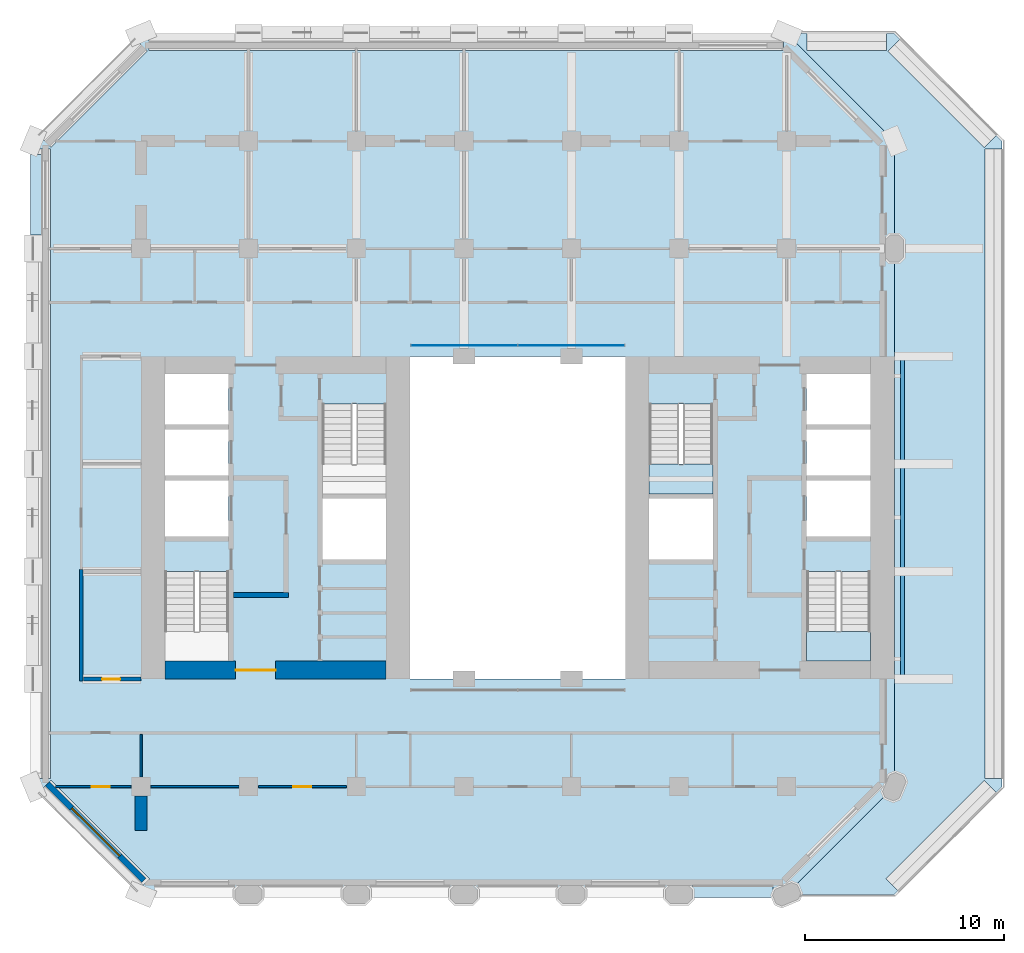
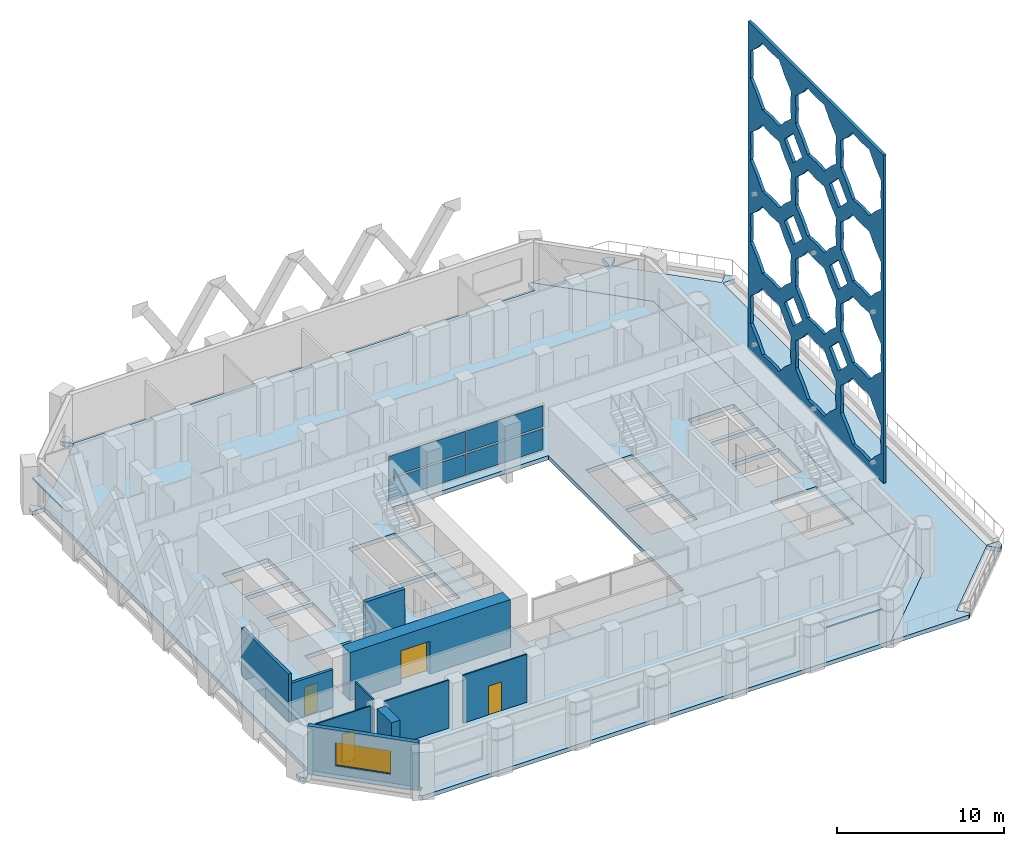
# One storey, part 6 of 14: 10 walls, 7 plates, 4 doors, 4 slabs, 1 window, 5 openings, 3 elements without a shape of their own.
"""IFC4 building model written with IfcOpenShell, lengths in metres."""

import ifcopenshell
import ifcopenshell.guid

model = None  # the IFC model being written
_history = None  # IfcOwnerHistory: only IFC2X3 demands one
_inside = {}  # id of a spatial element -> (the spatial element, [elements in it])
_under = {}  # id of a project, library or spatial element -> (it, [spatial elements below it])
_declared = {}  # id of a project -> (the project, [libraries it declares])
_typed = {}  # id of a type object -> (the type object, [elements of that type])
_made_of = {}  # id of a material, layer set ... -> (it, [elements and type objects made of it])


def new_model(schema):
    """Start an empty IFC model of exactly this schema.

    Asked for "IFC4X3", IfcOpenShell would pick the latest addendum, in which some entities
    have other attributes; the version numbers below select the first issue.
    IFC2X3 requires an IfcOwnerHistory on every rooted entity: one is made here for all.
    """
    global model, _history
    if schema == "IFC4X3":
        model = ifcopenshell.file(schema_version=(4, 3, 0, 0))
    else:
        model = ifcopenshell.file(schema=schema)
    _inside.clear()
    _under.clear()
    _declared.clear()
    _typed.clear()
    _made_of.clear()
    _history = None
    if model.schema == "IFC2X3":
        org = make("IfcOrganization", Name="unknown")
        user = make(
            "IfcPersonAndOrganization",
            ThePerson=make("IfcPerson", FamilyName="unknown"),
            TheOrganization=org,
        )
        app = make(
            "IfcApplication",
            ApplicationDeveloper=org,
            Version="unknown",
            ApplicationFullName="unknown",
            ApplicationIdentifier="unknown",
        )
        _history = make(
            "IfcOwnerHistory",
            OwningUser=user,
            OwningApplication=app,
            ChangeAction="ADDED",
            CreationDate=0,
        )
    return model


def make(cls, **values):
    """One entity of the class cls with the attributes given. An attribute that is None is left unset."""
    return model.create_entity(
        cls, **{name: value for name, value in values.items() if value is not None}
    )


def rooted(cls, **values):
    """An entity with a GlobalId (a new one), such as an element, a storey or a relation."""
    return make(cls, GlobalId=ifcopenshell.guid.new(), OwnerHistory=_history, **values)


def si_unit(unit_type, name, prefix=None):
    """IfcSIUnit, for example si_unit("LENGTHUNIT", "METRE", prefix="MILLI")."""
    return make("IfcSIUnit", UnitType=unit_type, Prefix=prefix, Name=name)


def assignment(units):
    """IfcUnitAssignment: the units of a project."""
    return None if units is None else make("IfcUnitAssignment", Units=units)


def point(xyz):
    """IfcCartesianPoint."""
    return None if xyz is None else make("IfcCartesianPoint", Coordinates=xyz)


def direction(xyz):
    """IfcDirection."""
    return None if xyz is None else make("IfcDirection", DirectionRatios=xyz)


def frame(location, z_axis=None, x_axis=None):
    """IfcAxis2Placement3D, a coordinate frame: its origin and axes. An axis left out is left unset."""
    return make(
        "IfcAxis2Placement3D",
        Location=point(location),
        Axis=direction(z_axis),
        RefDirection=direction(x_axis),
    )


def frame_2d(location, x_axis=None):
    """IfcAxis2Placement2D, a coordinate frame in the plane: its origin and x axis."""
    return make(
        "IfcAxis2Placement2D", Location=point(location), RefDirection=direction(x_axis)
    )


def origin():
    """The frame at (0, 0, 0) with its axes left unset."""
    return frame((0.0, 0.0, 0.0))


def origin_2d():
    """The frame at (0, 0) in the plane with its x axis left unset."""
    return frame_2d((0.0, 0.0))


def place(relative_to, where):
    """IfcLocalPlacement: puts the frame where relative to a parent placement (None: the world)."""
    return make(
        "IfcLocalPlacement", PlacementRelTo=relative_to, RelativePlacement=where
    )


def context(
    kind, dimensions, precision=None, world=None, true_north=None, identifier=None
):
    """IfcGeometricRepresentationContext, for example the 3D "Model" context."""
    return make(
        "IfcGeometricRepresentationContext",
        ContextIdentifier=identifier,
        ContextType=kind,
        CoordinateSpaceDimension=dimensions,
        Precision=precision,
        WorldCoordinateSystem=world,
        TrueNorth=true_north,
    )


def subcontext(parent, identifier, kind, view, scale=None):
    """IfcGeometricRepresentationSubContext, for example "Body" below "Model"."""
    return make(
        "IfcGeometricRepresentationSubContext",
        ContextIdentifier=identifier,
        ContextType=kind,
        ParentContext=parent,
        TargetScale=scale,
        TargetView=view,
    )


def project(units=None, contexts=None):
    """IfcProject with its units and contexts."""
    return rooted(
        "IfcProject",
        Name="project",
        RepresentationContexts=contexts,
        UnitsInContext=assignment(units),
    )


def spatial(cls, under=None, at=None, **own):
    """A site, building, storey or space (cls), placed at a placement, below another one or the project."""
    s = rooted(cls, ObjectPlacement=at, **own)
    if under is not None:
        _under.setdefault(under.id(), (under, []))[1].append(s)
    return s


def polyline(points):
    """IfcPolyline through the points."""
    return make("IfcPolyline", Points=[point(p) for p in points])


def profile(cls, at=None, kind="AREA", **sizes):
    """A parametric profile (cls). Its sizes go by their IFC names, for example OverallWidth=200.0."""
    return make(cls, ProfileType=kind, Position=at, **sizes)


def rectangle(**sizes):
    """IfcRectangleProfileDef."""
    return profile("IfcRectangleProfileDef", **sizes)


def outline(outer, holes=None, kind="AREA"):
    """IfcArbitraryClosedProfileDef: a profile drawn as a closed curve; with holes, ...WithVoids."""
    if holes is None:
        return make("IfcArbitraryClosedProfileDef", ProfileType=kind, OuterCurve=outer)
    return make(
        "IfcArbitraryProfileDefWithVoids",
        ProfileType=kind,
        OuterCurve=outer,
        InnerCurves=holes,
    )


def extrude(swept, where, along, depth):
    """IfcExtrudedAreaSolid: the profile swept, set in the frame where, extruded along a direction by depth."""
    return make(
        "IfcExtrudedAreaSolid",
        SweptArea=swept,
        Position=where,
        ExtrudedDirection=direction(along),
        Depth=depth,
    )


def shape(context_of_items, identifier, shape_type, items):
    """IfcShapeRepresentation: the items that make up one representation, for example the "Body"."""
    return make(
        "IfcShapeRepresentation",
        ContextOfItems=context_of_items,
        RepresentationIdentifier=identifier,
        RepresentationType=shape_type,
        Items=items,
    )


def material(Name=None, Category=None):
    """IfcMaterial."""
    return make("IfcMaterial", Name=Name, Category=Category)


def layer(
    of_material, thickness, ventilated=None, Name=None, Category=None, Priority=None
):
    """IfcMaterialLayer: one layer of a wall or slab, of a material (None: an air gap)."""
    return make(
        "IfcMaterialLayer",
        Material=of_material,
        LayerThickness=thickness,
        IsVentilated=ventilated,
        Name=Name,
        Category=Category,
        Priority=Priority,
    )


def layer_set(layers, Name=None):
    """IfcMaterialLayerSet."""
    return make("IfcMaterialLayerSet", MaterialLayers=layers, LayerSetName=Name)


def made_of(thing, what):
    """Note that an element or type object is made of a material, layer set ...; save() writes the relation."""
    if what is not None:
        _made_of.setdefault(what.id(), (what, []))[1].append(thing)
    return thing


def type_object(cls, material=None, **own):
    """A type object (cls), such as IfcWallType, which elements share."""
    return made_of(rooted(cls, **own), material)


def element(
    cls,
    number,
    at=None,
    inside=None,
    cuts=None,
    type_object=None,
    material=None,
    context=None,
    identifier="Body",
    shape_type=None,
    held_by="IfcProductDefinitionShape",
    body=None,
    shapes=None,
    **own,
):
    """One element of the class cls, such as IfcWall. Its Tag is "e" and its number.

    at: its placement. inside: the storey or other place that contains it. cuts: it is an
    opening in that element (IfcRelVoidsElement). A single representation is given by context,
    identifier, shape_type and body (its items); several are given by shapes. held_by: the class
    of the entity that holds the representations. save() writes the other relations.
    """
    e = rooted(cls, Tag="e%d" % number, ObjectPlacement=at, **own)
    if body is not None:
        shapes = [shape(context, identifier, shape_type, body)]
    if shapes is not None:
        e.Representation = make(held_by, Representations=shapes)
    if inside is not None:
        _inside.setdefault(inside.id(), (inside, []))[1].append(e)
    if cuts is not None:
        rooted(
            "IfcRelVoidsElement", RelatingBuildingElement=cuts, RelatedOpeningElement=e
        )
    if type_object is not None:
        _typed.setdefault(type_object.id(), (type_object, []))[1].append(e)
    return made_of(e, material)


def fill(opening, filler):
    """IfcRelFillsElement: the door or window that sits in an opening."""
    return rooted(
        "IfcRelFillsElement",
        RelatingOpeningElement=opening,
        RelatedBuildingElement=filler,
    )


def aggregate(whole, parts):
    """IfcRelAggregates: a whole, such as a stair, and the parts it consists of."""
    return rooted("IfcRelAggregates", RelatingObject=whole, RelatedObjects=parts)


def save(model, path):
    """Write the relations noted so far, then the file.

    IfcRelAggregates (storeys below a building ...), IfcRelContainedInSpatialStructure (elements
    in a storey), IfcRelDefinesByType, IfcRelAssociatesMaterial and IfcRelDeclares: one each for
    every whole, place, type object, material and project.
    """
    for whole, parts in _under.values():
        aggregate(whole, parts)
    for where, things in _inside.values():
        rooted(
            "IfcRelContainedInSpatialStructure",
            RelatedElements=things,
            RelatingStructure=where,
        )
    for kind, things in _typed.values():
        rooted("IfcRelDefinesByType", RelatedObjects=things, RelatingType=kind)
    for what, things in _made_of.values():
        rooted("IfcRelAssociatesMaterial", RelatedObjects=things, RelatingMaterial=what)
    for by, libraries in _declared.values():
        rooted("IfcRelDeclares", RelatingContext=by, RelatedDefinitions=libraries)
    model.write(path)


model = new_model("IFC4")

# Units and contexts
model_context = context("Model", 3, precision=1e-05, world=origin(), true_north=direction((0.0, 1.0)))
body_context = subcontext(model_context, "Body", "Model", "MODEL_VIEW")
ifc_project = project(units=[si_unit("LENGTHUNIT", "METRE"), si_unit("AREAUNIT", "SQUARE_METRE"), si_unit("VOLUMEUNIT", "CUBIC_METRE"), si_unit("PLANEANGLEUNIT", "RADIAN"), si_unit("MASSUNIT", "GRAM", prefix="KILO")], contexts=[model_context])

# Site, building, storey
site_placement = place(None, origin())
site = spatial("IfcSite", under=ifc_project, at=site_placement, CompositionType="ELEMENT")
building_placement = place(site_placement, origin())
building = spatial("IfcBuilding", under=site, at=building_placement, Name="Tabaq Tower and Sports Hall", CompositionType="ELEMENT")
storey_placement = place(building_placement, frame((0.0, 0.0, 95.39990234375)))
storey = spatial("IfcBuildingStorey", under=building, at=storey_placement, Name="L22", CompositionType="ELEMENT", Elevation=95.39990234375)

# Curtain wall, plates
ifc_material_1 = material(Name="Aluminium alloy 6063-T6 framed glazing", Category="aluminium")
curtain_wall_type = type_object("IfcCurtainWallType", Name="CW1 curtain wall", PredefinedType="USERDEFINED", material=ifc_material_1)
curtain_wall_placement = place(storey_placement, origin())
curtain_wall = element("IfcCurtainWall", 1, at=curtain_wall_placement, inside=storey, type_object=curtain_wall_type, Name="Atrium glazing L22 N", ObjectType="ATRIUM ENCLOSURE", PredefinedType="USERDEFINED")
ifc_material_2 = material(Name="Clear low-emissivity glass 28 mm", Category="glass")
ifc_layer_1 = layer(ifc_material_2, 0.028076171875)
ifc_layer_set_1 = layer_set([ifc_layer_1], Name="CW1 glass panel 28")
plate_type_1 = type_object("IfcPlateType", Name="CW1 glass panel 28", PredefinedType="CURTAIN_PANEL", material=ifc_layer_set_1)
plate_1_placement = place(storey_placement, frame((21.614990234375, 32.949951171875, 0.14013671875), z_axis=(0.0, 0.0, 1.0), x_axis=(1.0, 0.0, 0.0)))
plate_1 = element("IfcPlate", 2, at=plate_1_placement, type_object=plate_type_1, Name="CW1 panel 1.1", PredefinedType="CURTAIN_PANEL", context=body_context, shape_type="SweptSolid", body=[
    extrude(rectangle(XDim=5.31005859375, YDim=0.028076171875, at=origin_2d()), origin(), (0.0, 0.0, 1.0), 1.5400390625),
])
plate_2_placement = place(storey_placement, frame((21.614990234375, 32.949951171875, 1.820068359375), z_axis=(0.0, 0.0, 1.0), x_axis=(1.0, 0.0, 0.0)))
plate_2 = element("IfcPlate", 3, at=plate_2_placement, type_object=plate_type_1, Name="CW1 panel 1.2", PredefinedType="CURTAIN_PANEL", context=body_context, shape_type="SweptSolid", body=[
    extrude(rectangle(XDim=5.31005859375, YDim=0.028076171875, at=origin_2d()), origin(), (0.0, 0.0, 1.0), 1.5400390625),
])
plate_3_placement = place(storey_placement, frame((26.985107421875, 32.949951171875, 0.14013671875), z_axis=(0.0, 0.0, 1.0), x_axis=(1.0, 0.0, 0.0)))
plate_3 = element("IfcPlate", 4, at=plate_3_placement, type_object=plate_type_1, Name="CW1 panel 2.1", PredefinedType="CURTAIN_PANEL", context=body_context, shape_type="SweptSolid", body=[
    extrude(rectangle(XDim=5.31005859375, YDim=0.028076171875, at=origin_2d()), origin(), (0.0, 0.0, 1.0), 1.5400390625),
])
plate_4_placement = place(storey_placement, frame((26.985107421875, 32.949951171875, 1.820068359375), z_axis=(0.0, 0.0, 1.0), x_axis=(1.0, 0.0, 0.0)))
plate_4 = element("IfcPlate", 5, at=plate_4_placement, type_object=plate_type_1, Name="CW1 panel 2.2", PredefinedType="CURTAIN_PANEL", context=body_context, shape_type="SweptSolid", body=[
    extrude(rectangle(XDim=5.31005859375, YDim=0.028076171875, at=origin_2d()), origin(), (0.0, 0.0, 1.0), 1.5400390625),
])
aggregate(curtain_wall, [plate_1, plate_2, plate_3, plate_4])

# Stair, slab
ifc_material_3 = material(Name="Concrete C40/50", Category="concrete")
stair_type = type_object("IfcStairType", Name="Exit stair", PredefinedType="HALF_TURN_STAIR", material=ifc_material_3)
stair_1_placement = place(storey_placement, origin())
stair_1 = element("IfcStair", 6, at=stair_1_placement, inside=storey, type_object=stair_type, Name="L22 Exit stair ST3", PredefinedType="HALF_TURN_STAIR")
ifc_material_4 = material(Name="Concrete C40/50", Category="concrete")
ifc_layer_2 = layer(ifc_material_4, 0.199951171875)
ifc_layer_set_2 = layer_set([ifc_layer_2], Name="Exit stair landing")
slab_type_1 = type_object("IfcSlabType", Name="Exit stair landing", PredefinedType="LANDING", material=ifc_layer_set_2)
slab_1_placement = place(storey_placement, frame((0.0, 0.0, 1.7001953125)))
slab_1 = element("IfcSlab", 7, at=slab_1_placement, type_object=slab_type_1, Name="ST3 landing 1", PredefinedType="LANDING", context=body_context, shape_type="SweptSolid", body=[
    extrude(outline(polyline([(38.800048828125, 18.60009765625), (38.800048828125, 17.10009765625), (42.0, 17.10009765625), (42.0, 18.60009765625), (38.800048828125, 18.60009765625)])), origin(), (0.0, 0.0, 1.0), 0.199951171875),
])
aggregate(stair_1, [slab_1])

stair_2_placement = place(storey_placement, origin())
stair_2 = element("IfcStair", 8, at=stair_2_placement, inside=storey, type_object=stair_type, Name="L22 Exit stair ST4", PredefinedType="HALF_TURN_STAIR")
slab_2_placement = place(storey_placement, frame((0.0, 0.0, 1.7001953125)))
slab_2 = element("IfcSlab", 9, at=slab_2_placement, type_object=slab_type_1, Name="ST4 landing 1", PredefinedType="LANDING", context=body_context, shape_type="SweptSolid", body=[
    extrude(outline(polyline([(30.89990234375, 27.0), (30.89990234375, 25.5), (34.10009765625, 25.5), (34.10009765625, 27.0), (30.89990234375, 27.0)])), origin(), (0.0, 0.0, 1.0), 0.199951171875),
])
aggregate(stair_2, [slab_2])

# Slabs
ifc_material_5 = material(Name="Concrete C40/50", Category="concrete")
ifc_layer_3 = layer(ifc_material_5, 0.300048828125)
ifc_layer_set_3 = layer_set([ifc_layer_3], Name="PT FLOOR SLAB 300 C40/50")
slab_type_2 = type_object("IfcSlabType", Name="PT FLOOR SLAB 300 C40/50", PredefinedType="FLOOR", material=ifc_layer_set_3)
slab_3_placement = place(storey_placement, frame((0.0, 0.0, -0.2998046875)))
element("IfcSlab", 10, at=slab_3_placement, inside=storey, type_object=slab_type_2, Name="Floor Slab L22", PredefinedType="FLOOR", context=body_context, shape_type="SweptSolid", body=[
    extrude(outline(polyline([(0.0, 11.2021484375), (0.0, 10.800048828125), (0.284423828125, 10.515625), (0.814697265625, 11.0458984375), (0.88525390625, 11.11669921875), (5.82421875, 6.177734375), (5.753662109375, 6.107177734375), (5.22314453125, 5.57666015625), (5.39990234375, 5.39990234375), (37.800048828125, 5.39990234375), (43.199951171875, 10.800048828125), (43.199951171875, 43.199951171875), (37.800048828125, 48.60009765625), (37.63818359375, 48.60009765625), (37.63818359375, 47.85009765625), (37.63818359375, 47.75), (5.802001953125, 47.75), (5.802001953125, 47.85009765625), (5.802001953125, 48.60009765625), (5.39990234375, 48.60009765625), (5.11572265625, 48.315673828125), (5.64599609375, 47.785400390625), (5.716796875, 47.714599609375), (0.88525390625, 42.88330078125), (0.284423828125, 43.484375), (0.0, 43.199951171875), (0.0, 42.7978515625), (0.75, 42.7978515625), (0.85009765625, 42.7978515625), (0.85009765625, 11.2021484375), (0.75, 11.2021484375), (0.0, 11.2021484375)]), holes=[polyline([(6.60009765625, 21.599365234375), (9.800048828125, 21.599365234375), (9.800048828125, 17.10009765625), (6.60009765625, 17.10009765625), (6.60009765625, 21.599365234375)]), polyline([(17.699951171875, 25.25), (17.699951171875, 22.199951171875), (14.5, 22.199951171875), (14.5, 25.25), (17.699951171875, 25.25)]), polyline([(18.89990234375, 32.39990234375), (29.699951171875, 32.39990234375), (29.699951171875, 16.199951171875), (18.89990234375, 16.199951171875), (18.89990234375, 32.39990234375)]), polyline([(6.60009765625, 26.175048828125), (9.800048828125, 26.175048828125), (9.800048828125, 23.35009765625), (6.60009765625, 23.35009765625), (6.60009765625, 26.175048828125)]), polyline([(9.800048828125, 28.72509765625), (9.800048828125, 26.425048828125), (6.60009765625, 26.425048828125), (6.60009765625, 28.72509765625), (9.800048828125, 28.72509765625)]), polyline([(17.699951171875, 29.99951171875), (17.699951171875, 25.5), (14.5, 25.5), (14.5, 29.99951171875), (17.699951171875, 29.99951171875)]), polyline([(6.60009765625, 31.5), (9.800048828125, 31.5), (9.800048828125, 28.97509765625), (6.60009765625, 28.97509765625), (6.60009765625, 31.5)]), polyline([(42.0, 21.599365234375), (42.0, 17.10009765625), (38.800048828125, 17.10009765625), (38.800048828125, 21.599365234375), (42.0, 21.599365234375)]), polyline([(34.10009765625, 25.25), (34.10009765625, 22.199951171875), (30.89990234375, 22.199951171875), (30.89990234375, 25.25), (34.10009765625, 25.25)]), polyline([(42.0, 26.175048828125), (42.0, 23.35009765625), (38.800048828125, 23.35009765625), (38.800048828125, 26.175048828125), (42.0, 26.175048828125)]), polyline([(42.0, 28.72509765625), (42.0, 26.425048828125), (38.800048828125, 26.425048828125), (38.800048828125, 28.72509765625), (42.0, 28.72509765625)]), polyline([(34.10009765625, 29.99951171875), (34.10009765625, 25.5), (30.89990234375, 25.5), (30.89990234375, 29.99951171875), (34.10009765625, 29.99951171875)]), polyline([(42.0, 31.5), (42.0, 28.97509765625), (38.800048828125, 28.97509765625), (38.800048828125, 31.5), (42.0, 31.5)])]), origin(), (0.0, 0.0, 1.0), 0.2998046875),
])
ifc_material_6 = material(Name="Concrete C40/50", Category="concrete")
ifc_layer_4 = layer(ifc_material_6, 0.300048828125)
ifc_layer_set_4 = layer_set([ifc_layer_4], Name="PT TERRACE SLAB 300 C40/50")
slab_type_3 = type_object("IfcSlabType", Name="PT TERRACE SLAB 300 C40/50", PredefinedType="FLOOR", material=ifc_layer_set_4)
slab_4_placement = place(storey_placement, frame((0.0, 0.0, -0.2998046875)))
element("IfcSlab", 11, at=slab_4_placement, inside=storey, type_object=slab_type_3, Name="Terrace Slab L22", PredefinedType="FLOOR", context=body_context, shape_type="SweptSolid", body=[
    extrude(outline(polyline([(48.60009765625, 42.7978515625), (48.60009765625, 43.199951171875), (48.315673828125, 43.484375), (47.785400390625, 42.9541015625), (47.714599609375, 42.88330078125), (42.88330078125, 47.714599609375), (42.9541015625, 47.785400390625), (43.484375, 48.315673828125), (43.199951171875, 48.60009765625), (42.7978515625, 48.60009765625), (42.7978515625, 47.85009765625), (42.7978515625, 47.75), (38.81201171875, 47.75), (38.81201171875, 47.85009765625), (38.81201171875, 48.60009765625), (37.800048828125, 48.60009765625), (43.199951171875, 43.199951171875), (43.199951171875, 10.800048828125), (37.800048828125, 5.39990234375), (43.199951171875, 5.39990234375), (43.376708984375, 5.57666015625), (42.775634765625, 6.177734375), (47.714599609375, 11.11669921875), (47.785400390625, 11.0458984375), (47.785400390625, 11.0458984375), (48.315673828125, 10.515625), (48.60009765625, 10.800048828125), (48.60009765625, 11.2021484375), (47.85009765625, 11.2021484375), (47.75, 11.2021484375), (47.75, 42.7978515625), (47.85009765625, 42.7978515625), (48.60009765625, 42.7978515625)])), origin(), (0.0, 0.0, 1.0), 0.2998046875),
])

# Plates
ifc_material_7 = material(Name="White precast concrete C60/75 pierced screen", Category="concrete")
ifc_layer_5 = layer(ifc_material_7, 0.199951171875)
ifc_layer_set_5 = layer_set([ifc_layer_5], Name="White precast concrete C60/75 girih screen 200")
plate_type_2 = type_object("IfcPlateType", Name="White precast concrete C60/75 girih screen 200", PredefinedType="USERDEFINED", material=ifc_layer_set_5)
plate_5_placement = place(storey_placement, frame((43.60009765625, 16.199951171875, 2.9501953125), z_axis=(0.0, 0.0, 1.0), x_axis=(0.0, 1.0, 0.0)))
element("IfcPlate", 12, at=plate_5_placement, inside=storey, type_object=plate_type_2, Name="Girih screen O3 E", ObjectType="SCREEN", PredefinedType="USERDEFINED", context=body_context, shape_type="SweptSolid", body=[
    extrude(outline(polyline([(0.0, 0.0), (16.199951171875, 0.0), (16.199951171875, 24.0), (0.0, 24.0), (0.0, 0.0)]), holes=[polyline([(5.134521484375, 4.0458984375), (4.376953125, 4.71435546875), (3.70849609375, 5.471923828125), (2.699951171875, 5.4091796875), (1.691650390625, 5.471923828125), (1.02294921875, 4.71435546875), (0.265380859375, 4.0458984375), (0.328369140625, 3.037353515625), (0.265380859375, 2.029052734375), (1.02294921875, 1.3603515625), (1.691650390625, 0.602783203125), (2.699951171875, 0.665771484375), (3.70849609375, 0.602783203125), (4.376953125, 1.3603515625), (5.134521484375, 2.029052734375), (5.07177734375, 3.037353515625), (5.134521484375, 4.0458984375)]), polyline([(5.134521484375, 10.020751953125), (4.376953125, 10.689453125), (3.70849609375, 11.447021484375), (2.699951171875, 11.384033203125), (1.691650390625, 11.447021484375), (1.02294921875, 10.689453125), (0.265380859375, 10.020751953125), (0.328369140625, 9.012451171875), (0.265380859375, 8.00390625), (1.02294921875, 7.33544921875), (1.691650390625, 6.577880859375), (2.699951171875, 6.640625), (3.70849609375, 6.577880859375), (4.376953125, 7.33544921875), (5.134521484375, 8.00390625), (5.07177734375, 9.012451171875), (5.134521484375, 10.020751953125)]), polyline([(5.134521484375, 15.995849609375), (4.376953125, 16.66455078125), (3.70849609375, 17.422119140625), (2.699951171875, 17.359130859375), (1.691650390625, 17.422119140625), (1.02294921875, 16.66455078125), (0.265380859375, 15.995849609375), (0.328369140625, 14.9873046875), (0.265380859375, 13.97900390625), (1.02294921875, 13.310302734375), (1.691650390625, 12.552734375), (2.699951171875, 12.61572265625), (3.70849609375, 12.552734375), (4.376953125, 13.310302734375), (5.134521484375, 13.97900390625), (5.07177734375, 14.9873046875), (5.134521484375, 15.995849609375)]), polyline([(5.134521484375, 21.970947265625), (4.376953125, 22.639404296875), (3.70849609375, 23.39697265625), (2.699951171875, 23.333984375), (1.691650390625, 23.39697265625), (1.02294921875, 22.639404296875), (0.265380859375, 21.970947265625), (0.328369140625, 20.96240234375), (0.265380859375, 19.953857421875), (1.02294921875, 19.285400390625), (1.691650390625, 18.52783203125), (2.699951171875, 18.5908203125), (3.70849609375, 18.52783203125), (4.376953125, 19.285400390625), (5.134521484375, 19.953857421875), (5.07177734375, 20.96240234375), (5.134521484375, 21.970947265625)]), polyline([(10.53466796875, 4.0458984375), (9.777099609375, 4.71435546875), (9.1083984375, 5.471923828125), (8.10009765625, 5.4091796875), (7.091552734375, 5.471923828125), (6.4228515625, 4.71435546875), (5.665283203125, 4.0458984375), (5.728271484375, 3.037353515625), (5.665283203125, 2.029052734375), (6.4228515625, 1.3603515625), (7.091552734375, 0.602783203125), (8.10009765625, 0.665771484375), (9.1083984375, 0.602783203125), (9.777099609375, 1.3603515625), (10.53466796875, 2.029052734375), (10.4716796875, 3.037353515625), (10.53466796875, 4.0458984375)]), polyline([(10.53466796875, 10.020751953125), (9.777099609375, 10.689453125), (9.1083984375, 11.447021484375), (8.10009765625, 11.384033203125), (7.091552734375, 11.447021484375), (6.4228515625, 10.689453125), (5.665283203125, 10.020751953125), (5.728271484375, 9.012451171875), (5.665283203125, 8.00390625), (6.4228515625, 7.33544921875), (7.091552734375, 6.577880859375), (8.10009765625, 6.640625), (9.1083984375, 6.577880859375), (9.777099609375, 7.33544921875), (10.53466796875, 8.00390625), (10.4716796875, 9.012451171875), (10.53466796875, 10.020751953125)]), polyline([(10.53466796875, 15.995849609375), (9.777099609375, 16.66455078125), (9.1083984375, 17.422119140625), (8.10009765625, 17.359130859375), (7.091552734375, 17.422119140625), (6.4228515625, 16.66455078125), (5.665283203125, 15.995849609375), (5.728271484375, 14.9873046875), (5.665283203125, 13.97900390625), (6.4228515625, 13.310302734375), (7.091552734375, 12.552734375), (8.10009765625, 12.61572265625), (9.1083984375, 12.552734375), (9.777099609375, 13.310302734375), (10.53466796875, 13.97900390625), (10.4716796875, 14.9873046875), (10.53466796875, 15.995849609375)]), polyline([(10.53466796875, 21.970947265625), (9.777099609375, 22.639404296875), (9.1083984375, 23.39697265625), (8.10009765625, 23.333984375), (7.091552734375, 23.39697265625), (6.4228515625, 22.639404296875), (5.665283203125, 21.970947265625), (5.728271484375, 20.96240234375), (5.665283203125, 19.953857421875), (6.4228515625, 19.285400390625), (7.091552734375, 18.52783203125), (8.10009765625, 18.5908203125), (9.1083984375, 18.52783203125), (9.777099609375, 19.285400390625), (10.53466796875, 19.953857421875), (10.4716796875, 20.96240234375), (10.53466796875, 21.970947265625)]), polyline([(15.9345703125, 4.0458984375), (15.177001953125, 4.71435546875), (14.508544921875, 5.471923828125), (13.5, 5.4091796875), (12.491455078125, 5.471923828125), (11.822998046875, 4.71435546875), (11.0654296875, 4.0458984375), (11.12841796875, 3.037353515625), (11.0654296875, 2.029052734375), (11.822998046875, 1.3603515625), (12.491455078125, 0.602783203125), (13.5, 0.665771484375), (14.508544921875, 0.602783203125), (15.177001953125, 1.3603515625), (15.9345703125, 2.029052734375), (15.87158203125, 3.037353515625), (15.9345703125, 4.0458984375)]), polyline([(15.9345703125, 10.020751953125), (15.177001953125, 10.689453125), (14.508544921875, 11.447021484375), (13.5, 11.384033203125), (12.491455078125, 11.447021484375), (11.822998046875, 10.689453125), (11.0654296875, 10.020751953125), (11.12841796875, 9.012451171875), (11.0654296875, 8.00390625), (11.822998046875, 7.33544921875), (12.491455078125, 6.577880859375), (13.5, 6.640625), (14.508544921875, 6.577880859375), (15.177001953125, 7.33544921875), (15.9345703125, 8.00390625), (15.87158203125, 9.012451171875), (15.9345703125, 10.020751953125)]), polyline([(15.9345703125, 15.995849609375), (15.177001953125, 16.66455078125), (14.508544921875, 17.422119140625), (13.5, 17.359130859375), (12.491455078125, 17.422119140625), (11.822998046875, 16.66455078125), (11.0654296875, 15.995849609375), (11.12841796875, 14.9873046875), (11.0654296875, 13.97900390625), (11.822998046875, 13.310302734375), (12.491455078125, 12.552734375), (13.5, 12.61572265625), (14.508544921875, 12.552734375), (15.177001953125, 13.310302734375), (15.9345703125, 13.97900390625), (15.87158203125, 14.9873046875), (15.9345703125, 15.995849609375)]), polyline([(15.9345703125, 21.970947265625), (15.177001953125, 22.639404296875), (14.508544921875, 23.39697265625), (13.5, 23.333984375), (12.491455078125, 23.39697265625), (11.822998046875, 22.639404296875), (11.0654296875, 21.970947265625), (11.12841796875, 20.96240234375), (11.0654296875, 19.953857421875), (11.822998046875, 19.285400390625), (12.491455078125, 18.52783203125), (13.5, 18.5908203125), (14.508544921875, 18.52783203125), (15.177001953125, 19.285400390625), (15.9345703125, 19.953857421875), (15.87158203125, 20.96240234375), (15.9345703125, 21.970947265625)]), polyline([(6.47998046875, 6.02490234375), (5.39990234375, 7.10498046875), (4.320068359375, 6.02490234375), (5.39990234375, 4.94482421875), (6.47998046875, 6.02490234375)]), polyline([(6.47998046875, 12.0), (5.39990234375, 13.079833984375), (4.320068359375, 12.0), (5.39990234375, 10.919921875), (6.47998046875, 12.0)]), polyline([(6.47998046875, 17.974853515625), (5.39990234375, 19.054931640625), (4.320068359375, 17.974853515625), (5.39990234375, 16.89501953125), (6.47998046875, 17.974853515625)]), polyline([(11.8798828125, 6.02490234375), (10.800048828125, 7.10498046875), (9.719970703125, 6.02490234375), (10.800048828125, 4.94482421875), (11.8798828125, 6.02490234375)]), polyline([(11.8798828125, 12.0), (10.800048828125, 13.079833984375), (9.719970703125, 12.0), (10.800048828125, 10.919921875), (11.8798828125, 12.0)]), polyline([(11.8798828125, 17.974853515625), (10.800048828125, 19.054931640625), (9.719970703125, 17.974853515625), (10.800048828125, 16.89501953125), (11.8798828125, 17.974853515625)])]), frame((0.0, 0.10009765625, 0.0), z_axis=(0.0, -1.0, 0.0), x_axis=(1.0, 0.0, 0.0)), (0.0, 0.0, 1.0), 0.199951171875),
])
ifc_material_8 = material(Name="White precast concrete C60/75 blade", Category="concrete")
ifc_layer_6 = layer(ifc_material_8, 0.10009765625)
ifc_layer_set_6 = layer_set([ifc_layer_6], Name="White precast concrete C60/75 sunshade 100")
plate_type_3 = type_object("IfcPlateType", Name="White precast concrete C60/75 sunshade 100", PredefinedType="USERDEFINED", material=ifc_layer_set_6)
for number, where, z_axis, x_axis, name in (
    (13, (35.10009765625, 5.550048828125, 2.60009765625), (0.0, 0.0, 1.0), (1.0, 0.0, 0.0), "Sunshade L22 S"),
    (14, (0.14990234375, 40.5, 2.60009765625), (0.0, 0.0, 1.0), (0.0, -1.0, 0.0), "Sunshade L22 W"),
):
    element("IfcPlate", number, at=place(storey_placement, frame(where, z_axis=z_axis, x_axis=x_axis)), inside=storey, type_object=plate_type_3, Name=name, ObjectType="SUNSHADE", PredefinedType="USERDEFINED", context=body_context, shape_type="SweptSolid", body=[
        extrude(rectangle(XDim=4.050048828125, YDim=0.60009765625, at=origin_2d()), origin(), (0.0, 0.0, 1.0), 0.10009765625),
    ])

# Wall, opening, door
ifc_material_9 = material(Name="Concrete C60/75", Category="concrete")
ifc_layer_7 = layer(ifc_material_9, 0.89990234375)
ifc_layer_set_7 = layer_set([ifc_layer_7], Name="Core wall 900 Concrete C60/75")
wall_type_1 = type_object("IfcWallType", Name="Core wall 900 Concrete C60/75", PredefinedType="SOLIDWALL", material=ifc_layer_set_7)
wall_1_placement = place(storey_placement, frame((17.699951171875, 16.64990234375, 0.0), z_axis=(0.0, 0.0, 1.0), x_axis=(-1.0, 0.0, 0.0)))
wall_1 = element("IfcWall", 15, at=wall_1_placement, inside=storey, type_object=wall_type_1, Name="Core wall W L22", PredefinedType="SOLIDWALL", context=body_context, shape_type="SweptSolid", body=[
    extrude(rectangle(XDim=11.099853515625, YDim=0.89990234375, at=frame_2d((5.5498046875, 0.0))), origin(), (0.0, 0.0, 1.0), 3.5),
])
opening_1_placement = place(wall_1_placement, frame((5.550048828125, 0.0, 0.0)))
opening_1 = element("IfcOpeningElement", 16, at=opening_1_placement, cuts=wall_1, Name="Opening PD-WL22-01", PredefinedType="OPENING", context=body_context, shape_type="SweptSolid", body=[
    extrude(rectangle(XDim=2.0, YDim=2.39990234375, at=frame_2d((1.0, 1.199951171875))), frame((0.0, 0.449951171875, 0.0), z_axis=(0.0, -1.0, 0.0), x_axis=(1.0, 0.0, 0.0)), (0.0, 0.0, 1.0), 0.89990234375),
])
ifc_material_10 = material(Name="Steel fire door", Category="steel")
door_type_1 = type_object("IfcDoorType", Name="Core entrance door 2000", OperationType="DOUBLE_DOOR_SINGLE_SWING", PredefinedType="DOOR", material=ifc_material_10)
door_1_placement = place(opening_1_placement, origin())
door_1 = element("IfcDoor", 17, at=door_1_placement, inside=storey, type_object=door_type_1, Name="Core entrance south W L22", OperationType="DOUBLE_DOOR_SINGLE_SWING", OverallHeight=2.39990234375, OverallWidth=2.0, PredefinedType="DOOR", context=body_context, shape_type="SweptSolid", body=[
    extrude(rectangle(XDim=2.0, YDim=2.39990234375, at=frame_2d((1.0, 1.199951171875))), frame((0.0, 0.02490234375, 0.0), z_axis=(0.0, -1.0, 0.0), x_axis=(1.0, 0.0, 0.0)), (0.0, 0.0, 1.0), 0.050048828125),
])
fill(opening_1, door_1)

# Wall
ifc_material_11 = material(Name="Blockwork", Category="masonry")
ifc_layer_8 = layer(ifc_material_11, 0.199951171875)
ifc_layer_set_8 = layer_set([ifc_layer_8], Name="Fire compartment wall 200 Blockwork")
wall_type_2 = type_object("IfcWallType", Name="Fire compartment wall 200 Blockwork", PredefinedType="PARTITIONING", material=ifc_layer_set_8)
wall_2_placement = place(storey_placement, frame((2.39990234375, 21.699951171875, 0.0), z_axis=(0.0, 0.0, 1.0), x_axis=(0.0, -1.0, 0.0)))
element("IfcWall", 18, at=wall_2_placement, inside=storey, type_object=wall_type_2, Name="Compartment wall L22", PredefinedType="PARTITIONING", context=body_context, shape_type="SweptSolid", body=[
    extrude(rectangle(XDim=5.599853515625, YDim=0.199951171875, at=frame_2d((2.7998046875, 0.0))), origin(), (0.0, 0.0, 1.0), 3.5),
])

# Wall, opening, door
wall_3_placement = place(storey_placement, frame((2.5, 16.199951171875, 0.0), z_axis=(0.0, 0.0, 1.0), x_axis=(1.0, 0.0, 0.0)))
wall_3 = element("IfcWall", 19, at=wall_3_placement, inside=storey, type_object=wall_type_2, Name="Compartment wall L22", PredefinedType="PARTITIONING", context=body_context, shape_type="SweptSolid", body=[
    extrude(rectangle(XDim=2.89990234375, YDim=0.199951171875, at=frame_2d((1.449951171875, 0.0))), origin(), (0.0, 0.0, 1.0), 2.75),
])
opening_2_placement = place(wall_3_placement, frame((0.949951171875, 0.0, 0.0)))
opening_2 = element("IfcOpeningElement", 20, at=opening_2_placement, cuts=wall_3, Name="Opening L22-008", PredefinedType="OPENING", context=body_context, shape_type="SweptSolid", body=[
    extrude(rectangle(XDim=0.89990234375, YDim=2.10009765625, at=frame_2d((0.449951171875, 1.050048828125))), frame((0.0, 0.10009765625, 0.0), z_axis=(0.0, -1.0, 0.0), x_axis=(1.0, 0.0, 0.0)), (0.0, 0.0, 1.0), 0.199951171875),
])
ifc_material_12 = material(Name="Steel fire door", Category="steel")
door_type_2 = type_object("IfcDoorType", Name="Plant room door 900 left hand", OperationType="SINGLE_SWING_LEFT", PredefinedType="DOOR", material=ifc_material_12)
door_2_placement = place(opening_2_placement, origin())
door_2 = element("IfcDoor", 21, at=door_2_placement, inside=storey, type_object=door_type_2, Name="Plant room door L22-008", OperationType="SINGLE_SWING_LEFT", OverallHeight=2.10009765625, OverallWidth=0.89990234375, PredefinedType="DOOR", context=body_context, shape_type="SweptSolid", body=[
    extrude(rectangle(XDim=0.89990234375, YDim=2.10009765625, at=frame_2d((0.449951171875, 1.050048828125))), frame((0.0, 0.02490234375, 0.0), z_axis=(0.0, -1.0, 0.0), x_axis=(1.0, 0.0, 0.0)), (0.0, 0.0, 1.0), 0.050048828125),
])
fill(opening_2, door_2)

ifc_material_13 = material(Name="Gypsum board on steel studs", Category="steel")
ifc_layer_9 = layer(ifc_material_13, 0.10009765625)
ifc_layer_set_9 = layer_set([ifc_layer_9], Name="Partition 100 Gypsum board")
wall_type_3 = type_object("IfcWallType", Name="Partition 100 Gypsum board", PredefinedType="PARTITIONING", material=ifc_layer_set_9)
wall_4_placement = place(storey_placement, frame((1.112060546875, 10.800048828125, 0.0), z_axis=(0.0, 0.0, 1.0), x_axis=(1.0, 0.0, 0.0)))
wall_4 = element("IfcWall", 22, at=wall_4_placement, inside=storey, type_object=wall_type_3, Name="Partition wall L22", PredefinedType="PARTITIONING", context=body_context, shape_type="SweptSolid", body=[
    extrude(rectangle(XDim=3.79296875, YDim=0.10009765625, at=frame_2d((1.896484375, 0.0))), origin(), (0.0, 0.0, 1.0), 3.5),
])
opening_3_placement = place(wall_4_placement, frame((1.81298828125, 0.0, 0.0)))
opening_3 = element("IfcOpeningElement", 23, at=opening_3_placement, cuts=wall_4, Name="Opening L22-029", PredefinedType="OPENING", context=body_context, shape_type="SweptSolid", body=[
    extrude(rectangle(XDim=0.89990234375, YDim=2.10009765625, at=frame_2d((0.449951171875, 1.050048828125))), frame((0.0, 0.050048828125, 0.0), z_axis=(0.0, -1.0, 0.0), x_axis=(1.0, 0.0, 0.0)), (0.0, 0.0, 1.0), 0.10009765625),
])
ifc_material_14 = material(Name="Timber leaf in steel frame", Category="steel")
door_type_3 = type_object("IfcDoorType", Name="Internal door 900 right hand", OperationType="SINGLE_SWING_RIGHT", PredefinedType="DOOR", material=ifc_material_14)
door_3_placement = place(opening_3_placement, origin())
door_3 = element("IfcDoor", 24, at=door_3_placement, inside=storey, type_object=door_type_3, Name="Internal door L22-029", OperationType="SINGLE_SWING_RIGHT", OverallHeight=2.10009765625, OverallWidth=0.89990234375, PredefinedType="DOOR", context=body_context, shape_type="SweptSolid", body=[
    extrude(rectangle(XDim=0.89990234375, YDim=2.10009765625, at=frame_2d((0.449951171875, 1.050048828125))), frame((0.0, 0.02490234375, 0.0), z_axis=(0.0, -1.0, 0.0), x_axis=(1.0, 0.0, 0.0)), (0.0, 0.0, 1.0), 0.050048828125),
])
fill(opening_3, door_3)

# Walls
wall_5_placement = place(storey_placement, frame((5.39990234375, 11.294921875, 0.0), z_axis=(0.0, 0.0, 1.0), x_axis=(0.0, 1.0, 0.0)))
element("IfcWall", 25, at=wall_5_placement, inside=storey, type_object=wall_type_3, Name="Partition wall L22", PredefinedType="PARTITIONING", context=body_context, shape_type="SweptSolid", body=[
    extrude(rectangle(XDim=2.130126953125, YDim=0.10009765625, at=frame_2d((1.06494140625, 0.0))), origin(), (0.0, 0.0, 1.0), 3.5),
])
wall_6_placement = place(storey_placement, frame((5.89501953125, 10.800048828125, 0.0), z_axis=(0.0, 0.0, 1.0), x_axis=(1.0, 0.0, 0.0)))
element("IfcWall", 26, at=wall_6_placement, inside=storey, type_object=wall_type_3, Name="Partition wall L22", PredefinedType="PARTITIONING", context=body_context, shape_type="SweptSolid", body=[
    extrude(rectangle(XDim=4.409912109375, YDim=0.10009765625, at=frame_2d((2.205078125, 0.0))), origin(), (0.0, 0.0, 1.0), 3.5),
])

# Wall, opening, door
wall_7_placement = place(storey_placement, frame((11.294921875, 10.800048828125, 0.0), z_axis=(0.0, 0.0, 1.0), x_axis=(1.0, 0.0, 0.0)))
wall_7 = element("IfcWall", 27, at=wall_7_placement, inside=storey, type_object=wall_type_3, Name="Partition wall L22", PredefinedType="PARTITIONING", context=body_context, shape_type="SweptSolid", body=[
    extrude(rectangle(XDim=4.41015625, YDim=0.10009765625, at=frame_2d((2.205078125, 0.0))), origin(), (0.0, 0.0, 1.0), 3.5),
])
opening_4_placement = place(wall_7_placement, frame((1.7548828125, 0.0, 0.0)))
opening_4 = element("IfcOpeningElement", 28, at=opening_4_placement, cuts=wall_7, Name="Opening L22-017", PredefinedType="OPENING", context=body_context, shape_type="SweptSolid", body=[
    extrude(rectangle(XDim=0.89990234375, YDim=2.10009765625, at=frame_2d((0.449951171875, 1.050048828125))), frame((0.0, 0.050048828125, 0.0), z_axis=(0.0, -1.0, 0.0), x_axis=(1.0, 0.0, 0.0)), (0.0, 0.0, 1.0), 0.10009765625),
])
ifc_material_15 = material(Name="Timber leaf in steel frame", Category="steel")
door_type_4 = type_object("IfcDoorType", Name="Internal door 900 left hand", OperationType="SINGLE_SWING_LEFT", PredefinedType="DOOR", material=ifc_material_15)
door_4_placement = place(opening_4_placement, origin())
door_4 = element("IfcDoor", 29, at=door_4_placement, inside=storey, type_object=door_type_4, Name="Internal door L22-017", OperationType="SINGLE_SWING_LEFT", OverallHeight=2.10009765625, OverallWidth=0.89990234375, PredefinedType="DOOR", context=body_context, shape_type="SweptSolid", body=[
    extrude(rectangle(XDim=0.89990234375, YDim=2.10009765625, at=frame_2d((0.449951171875, 1.050048828125))), frame((0.0, 0.02490234375, 0.0), z_axis=(0.0, -1.0, 0.0), x_axis=(1.0, 0.0, 0.0)), (0.0, 0.0, 1.0), 0.050048828125),
])
fill(opening_4, door_4)

# Walls
ifc_material_16 = material(Name="Concrete C60/75", Category="concrete")
ifc_layer_10 = layer(ifc_material_16, 0.60009765625)
ifc_layer_set_10 = layer_set([ifc_layer_10], Name="RC TRANSFER WALL 600 C60/75")
wall_type_4 = type_object("IfcWallType", Name="RC TRANSFER WALL 600 C60/75", PredefinedType="SHEAR", material=ifc_layer_set_10)
wall_8_placement = place(storey_placement, frame((5.39990234375, 8.612548828125, 0.0), z_axis=(0.0, 0.0, 1.0), x_axis=(0.0, 1.0, 0.0)))
element("IfcWall", 30, at=wall_8_placement, inside=storey, type_object=wall_type_4, Name="Transfer Wall L22 West 2", PredefinedType="SHEAR", context=body_context, shape_type="SweptSolid", body=[
    extrude(rectangle(XDim=1.71240234375, YDim=0.60009765625, at=frame_2d((0.856201171875, 0.0))), origin(), (0.0, 0.0, 1.0), 3.5),
])
ifc_material_17 = material(Name="Concrete C40/50", Category="concrete")
ifc_layer_11 = layer(ifc_material_17, 0.25)
ifc_layer_set_11 = layer_set([ifc_layer_11], Name="Shaft and stair wall 250 Concrete C40/50")
wall_type_5 = type_object("IfcWallType", Name="Shaft and stair wall 250 Concrete C40/50", PredefinedType="SOLIDWALL", material=ifc_layer_set_11)
wall_9_placement = place(storey_placement, frame((10.050048828125, 20.425048828125, 0.0), z_axis=(0.0, 0.0, 1.0), x_axis=(1.0, 0.0, 0.0)))
element("IfcWall", 31, at=wall_9_placement, inside=storey, type_object=wall_type_5, Name="Fire-fighting lobby wall W L22", PredefinedType="SOLIDWALL", context=body_context, shape_type="SweptSolid", body=[
    extrude(rectangle(XDim=2.75, YDim=0.25, at=frame_2d((1.375, 0.0))), origin(), (0.0, 0.0, 1.0), 3.5),
])

# Wall, opening, window
ifc_material_18 = material(Name="White precast concrete C60/75", Category="concrete")
ifc_layer_12 = layer(ifc_material_18, 0.300048828125)
ifc_layer_set_12 = layer_set([ifc_layer_12], Name="White precast concrete C60/75 external wall 300")
wall_type_6 = type_object("IfcWallType", Name="White precast concrete C60/75 external wall 300", PredefinedType="SOLIDWALL", material=ifc_layer_set_12)
wall_10_placement = place(storey_placement, frame((0.698974609375, 10.949462890625, 0.0), z_axis=(0.0, 0.0, 1.0), x_axis=(0.707106781187, -0.707106781187, 0.0)))
wall_10 = element("IfcWall", 32, at=wall_10_placement, inside=storey, type_object=wall_type_6, Name="External Wall L22 SW", PredefinedType="SOLIDWALL", context=body_context, shape_type="SweptSolid", body=[
    extrude(rectangle(XDim=6.85986328125, YDim=0.300048828125, at=frame_2d((3.429931640625, 0.0))), origin(), (0.0, 0.0, 1.0), 3.5),
])
opening_5_placement = place(wall_10_placement, frame((1.729736328125, 0.0, 0.89990234375)))
opening_5 = element("IfcOpeningElement", 33, at=opening_5_placement, cuts=wall_10, Name="Opening W1A", PredefinedType="OPENING", context=body_context, shape_type="SweptSolid", body=[
    extrude(rectangle(XDim=3.39990234375, YDim=1.699951171875, at=frame_2d((1.699951171875, 0.85009765625))), frame((0.0, 0.16015625, 0.0), z_axis=(0.0, -1.0, 0.0), x_axis=(1.0, 0.0, 0.0)), (0.0, 0.0, 1.0), 0.320068359375),
])
ifc_material_19 = material(Name="Aluminium framed clear glazing", Category="aluminium")
window_type = type_object("IfcWindowType", Name="Window W1A", PartitioningType="SINGLE_PANEL", PredefinedType="WINDOW", material=ifc_material_19)
window_placement = place(opening_5_placement, origin())
window = element("IfcWindow", 34, at=window_placement, inside=storey, type_object=window_type, Name="Window W1A L22", OverallHeight=1.699951171875, OverallWidth=3.39990234375, PartitioningType="SINGLE_PANEL", PredefinedType="WINDOW", context=body_context, shape_type="SweptSolid", body=[
    extrude(rectangle(XDim=3.39990234375, YDim=1.699951171875, at=frame_2d((1.699951171875, 0.85009765625))), frame((0.0, 0.030029296875, 0.0), z_axis=(0.0, -1.0, 0.0), x_axis=(1.0, 0.0, 0.0)), (0.0, 0.0, 1.0), 0.06005859375),
])
fill(opening_5, window)

save(model, "model.ifc")
